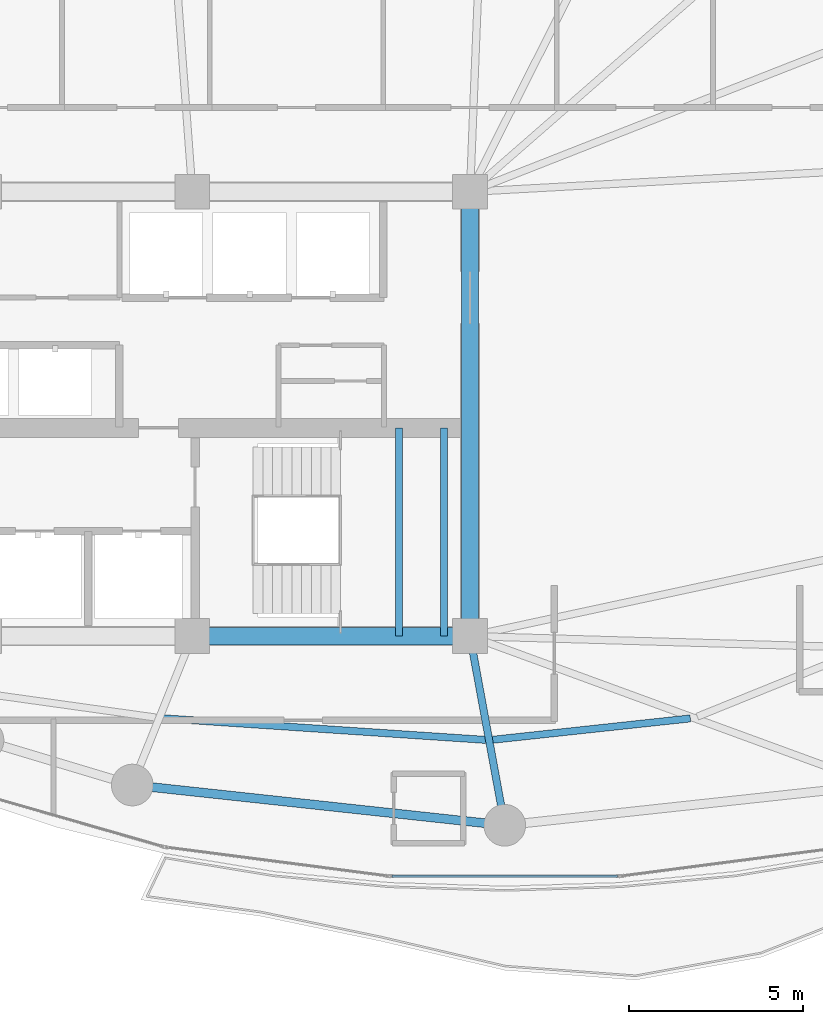
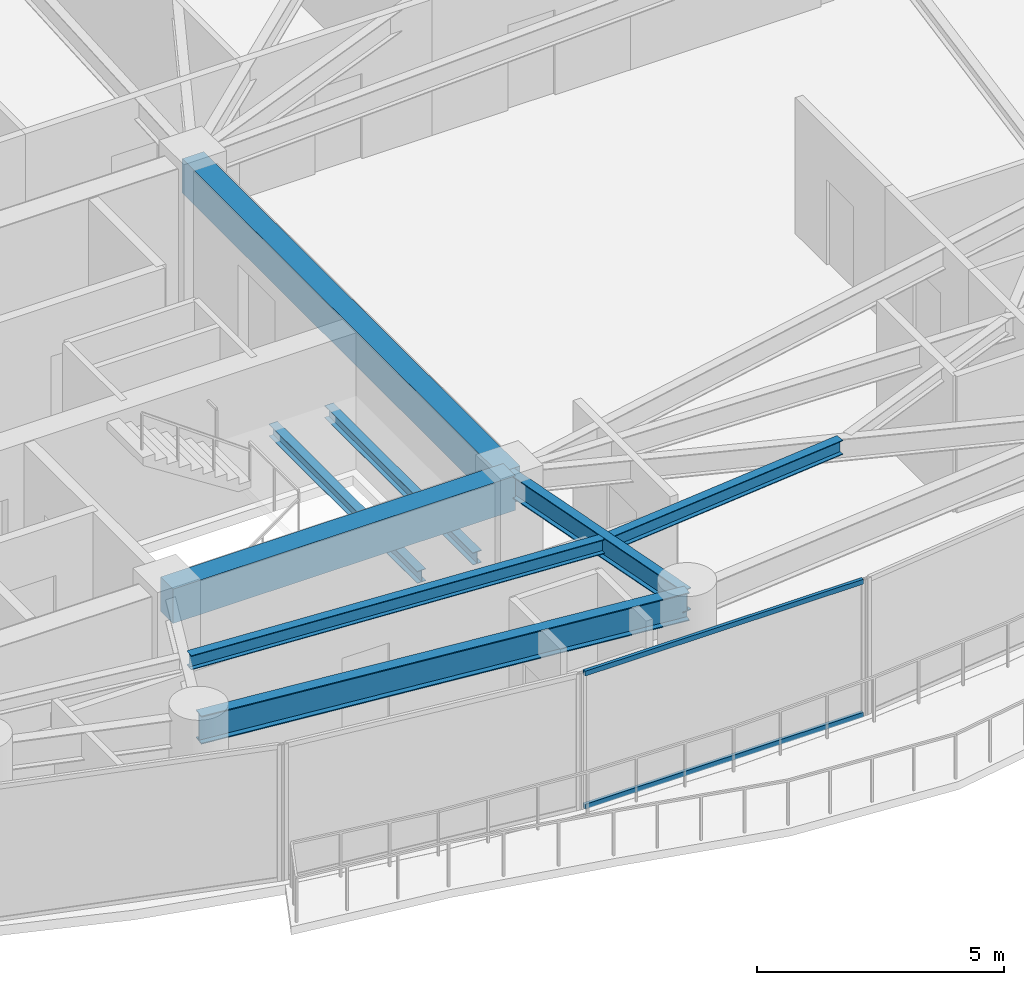
# One storey, part 6 of 28: 8 beams, 2 members, 1 element without a shape of its own.
"""IFC4 building model written with IfcOpenShell, lengths in metres."""

from ifc_helpers import new_model, si_unit, direction, frame, origin, origin_2d, place, context, subcontext, project, spatial, rectangle, hollow_rectangle, i_section, extrude, material, layer, layer_set, material_profile, profile_set, type_object, element, aggregate, save


model = new_model("IFC4")

# Units and contexts
model_context = context("Model", 3, precision=1e-05, world=origin(), true_north=direction((0.0, 1.0)))
body_context = subcontext(model_context, "Body", "Model", "MODEL_VIEW")
ifc_project = project(units=[si_unit("LENGTHUNIT", "METRE"), si_unit("AREAUNIT", "SQUARE_METRE"), si_unit("VOLUMEUNIT", "CUBIC_METRE"), si_unit("PLANEANGLEUNIT", "RADIAN"), si_unit("MASSUNIT", "GRAM", prefix="KILO")], contexts=[model_context])

# Site, building, storey
site_placement = place(None, origin())
site = spatial("IfcSite", under=ifc_project, at=site_placement, CompositionType="ELEMENT")
building_placement = place(site_placement, origin())
building = spatial("IfcBuilding", under=site, at=building_placement, Name="Kazevale Care Tower and Concert Hall", CompositionType="ELEMENT")
storey_placement = place(building_placement, frame((0.0, 0.0, 109.800048828125)))
storey = spatial("IfcBuildingStorey", under=building, at=storey_placement, Name="L28", CompositionType="ELEMENT", Elevation=109.800048828125)

# Curtain wall, members
ifc_material_1 = material(Name="Aluminium 6063-T6 and Low-E Glass", Category="aluminium")
ifc_layer = layer(ifc_material_1, 0.179931640625)
ifc_layer_set = layer_set([ifc_layer], Name="Aluminium 6063-T6 and Low-E Glass")
curtain_wall_type = type_object("IfcCurtainWallType", Name="Sheltered Concave Balcony Curtain Wall CW-5", PredefinedType="NOTDEFINED", material=ifc_layer_set)
curtain_wall_placement = place(storey_placement, origin())
curtain_wall = element("IfcCurtainWall", 1, at=curtain_wall_placement, inside=storey, type_object=curtain_wall_type, Name="cw:L28:f06", PredefinedType="NOTDEFINED")
ifc_material_2 = material(Name="Aluminium 6063-T6", Category="aluminium")
ifc_material_profile_1 = material_profile(ifc_material_2, hollow_rectangle(XDim=0.074951171875, YDim=0.1201171875, WallThickness=0.00390625, at=origin_2d()), Name="ALU75x120x4")
ifc_profile_set_1 = profile_set([ifc_material_profile_1], Name="Aluminium 6063-T6")
member_type = type_object("IfcMemberType", Name="CW-5 Transom ALU75x120x4", PredefinedType="USERDEFINED", material=ifc_profile_set_1)
member_1_placement = place(storey_placement, frame((48.25, 16.68408203125, 0.037353515625), z_axis=(-1.0, 0.0, 0.0), x_axis=(0.0, -1.0, 0.0)))
member_1 = element("IfcMember", 2, at=member_1_placement, type_object=member_type, Name="CW-5 transom 1.1", ObjectType="TRANSOM", PredefinedType="USERDEFINED", context=body_context, shape_type="SweptSolid", body=[
    extrude(hollow_rectangle(XDim=0.074951171875, YDim=0.1201171875, WallThickness=0.00390625, at=origin_2d()), origin(), (0.0, 0.0, 1.0), 6.5),
])
member_2_placement = place(storey_placement, frame((48.25, 16.68408203125, 3.322509765625), z_axis=(-1.0, 0.0, 0.0), x_axis=(0.0, -1.0, 0.0)))
member_2 = element("IfcMember", 3, at=member_2_placement, type_object=member_type, Name="CW-5 transom 1.2", ObjectType="TRANSOM", PredefinedType="USERDEFINED", context=body_context, shape_type="SweptSolid", body=[
    extrude(hollow_rectangle(XDim=0.074951171875, YDim=0.1201171875, WallThickness=0.00390625, at=origin_2d()), origin(), (0.0, 0.0, 1.0), 6.5),
])
aggregate(curtain_wall, [member_1, member_2])

# Beams
ifc_material_3 = material(Name="Concrete C60", Category="concrete")
ifc_material_profile_2 = material_profile(ifc_material_3, rectangle(XDim=0.5, YDim=0.85009765625, at=origin_2d()), Name="RC-B500x850")
ifc_profile_set_2 = profile_set([ifc_material_profile_2], Name="Concrete C60")
beam_type_1 = type_object("IfcBeamType", Name="Core Coupling Beam RC500x850", PredefinedType="LINTEL", material=ifc_profile_set_2)
beam_1_placement = place(storey_placement, frame((36.0, 23.60009765625, 2.93505859375), z_axis=(1.0, 0.0, 0.0), x_axis=(0.0, 1.0, 0.0)))
element("IfcBeam", 4, at=beam_1_placement, inside=storey, type_object=beam_type_1, Name="beam:L28:coretie:3", PredefinedType="LINTEL", context=body_context, shape_type="SweptSolid", body=[
    extrude(rectangle(XDim=0.5, YDim=0.85009765625, at=origin_2d()), origin(), (0.0, 0.0, 1.0), 8.0),
])
beam_2_placement = place(storey_placement, frame((44.0, 23.60009765625, 2.93505859375), z_axis=(0.0, 1.0, 0.0), x_axis=(-1.0, 0.0, 0.0)))
element("IfcBeam", 5, at=beam_2_placement, inside=storey, type_object=beam_type_1, Name="beam:L28:coretie:4", PredefinedType="LINTEL", context=body_context, shape_type="SweptSolid", body=[
    extrude(rectangle(XDim=0.5, YDim=0.85009765625, at=origin_2d()), origin(), (0.0, 0.0, 1.0), 12.7998046875),
])
ifc_material_4 = material(Name="Steel ASTM A572 Gr 50", Category="steel")
ifc_material_profile_3 = material_profile(ifc_material_4, i_section(OverallWidth=0.2119140625, OverallDepth=0.5439453125, WebThickness=0.01318359375, FlangeThickness=0.021240234375, at=origin_2d()), Name="W530x123")
ifc_profile_set_3 = profile_set([ifc_material_profile_3], Name="Steel ASTM A572 Gr 50")
beam_type_2 = type_object("IfcBeamType", Name="Radial Floor Girder W530x123", PredefinedType="BEAM", material=ifc_profile_set_3)
beam_3_placement = place(storey_placement, frame((44.0, 23.60009765625, 3.087890625), z_axis=(0.180467114023, -0.983581018908, 0.0), x_axis=(0.983581018908, 0.180467114023, 0.0)))
element("IfcBeam", 6, at=beam_3_placement, inside=storey, type_object=beam_type_2, Name="beam:L28:rad:13", PredefinedType="BEAM", context=body_context, shape_type="SweptSolid", body=[
    extrude(i_section(OverallWidth=0.2119140625, OverallDepth=0.5439453125, WebThickness=0.01318359375, FlangeThickness=0.021240234375, at=origin_2d()), origin(), (0.0, 0.0, 1.0), 5.541259765625),
])
ifc_material_profile_4 = material_profile(ifc_material_4, i_section(OverallWidth=0.205078125, OverallDepth=0.35400390625, WebThickness=0.009521484375, FlangeThickness=0.016845703125, at=origin_2d()), Name="W360x79")
ifc_profile_set_4 = profile_set([ifc_material_profile_4], Name="Steel ASTM A572 Gr 50")
beam_type_3 = type_object("IfcBeamType", Name="Secondary Floor Joist W360x79", PredefinedType="JOIST", material=ifc_profile_set_4)
beam_4_placement = place(storey_placement, frame((35.153076171875, 21.23291015625, 3.182861328125), z_axis=(0.997761314569, -0.06687569925, 0.0), x_axis=(0.06687569925, 0.997761314569, 0.0)))
element("IfcBeam", 7, at=beam_4_placement, inside=storey, type_object=beam_type_3, Name="beam:L28:joist:12", PredefinedType="JOIST", context=body_context, shape_type="SweptSolid", body=[
    extrude(i_section(OverallWidth=0.205078125, OverallDepth=0.35400390625, WebThickness=0.009521484375, FlangeThickness=0.016845703125, at=origin_2d()), origin(), (0.0, 0.0, 1.0), 9.312744140625),
])
beam_5_placement = place(storey_placement, frame((44.654052734375, 20.614013671875, 3.182861328125), z_axis=(0.994215541126, 0.107403248482, 0.0), x_axis=(-0.107403248482, 0.994215541126, 0.0)))
element("IfcBeam", 8, at=beam_5_placement, inside=storey, type_object=beam_type_3, Name="beam:L28:joist:13", PredefinedType="JOIST", context=body_context, shape_type="SweptSolid", body=[
    extrude(i_section(OverallWidth=0.205078125, OverallDepth=0.35400390625, WebThickness=0.009521484375, FlangeThickness=0.016845703125, at=origin_2d()), origin(), (0.0, 0.0, 1.0), 5.72607421875),
])
ifc_material_profile_5 = material_profile(ifc_material_4, i_section(OverallWidth=0.202880859375, OverallDepth=0.302978515625, WebThickness=0.007568359375, FlangeThickness=0.01318359375, at=origin_2d()), Name="W310x60")
ifc_profile_set_5 = profile_set([ifc_material_profile_5], Name="Steel ASTM A572 Gr 50")
beam_type_4 = type_object("IfcBeamType", Name="Stair & Balcony Trimmer W310x60", PredefinedType="BEAM", material=ifc_profile_set_5)
for number, where, z_axis, x_axis, name in (
    (9, (41.949951171875, 23.60009765625, 1.448486328125), (0.0, 1.0, 0.0), (-1.0, 0.0, 0.0), "beam:L28:sttrim:ST2"),
    (10, (43.25, 23.60009765625, 1.448486328125), (0.0, 1.0, 0.0), (-1.0, 0.0, 0.0), "beam:L28:sttrim:ST2b"),
):
    element("IfcBeam", number, at=place(storey_placement, frame(where, z_axis=z_axis, x_axis=x_axis)), inside=storey, type_object=beam_type_4, Name=name, PredefinedType="BEAM", context=body_context, shape_type="SweptSolid", body=[
        extrude(i_section(OverallWidth=0.202880859375, OverallDepth=0.302978515625, WebThickness=0.007568359375, FlangeThickness=0.01318359375, at=origin_2d()), origin(), (0.0, 0.0, 1.0), 6.0),
    ])
ifc_material_profile_6 = material_profile(ifc_material_4, i_section(OverallWidth=0.256103515625, OverallDepth=0.693115234375, WebThickness=0.014404296875, FlangeThickness=0.023681640625, at=origin_2d()), Name="W690x170")
ifc_profile_set_6 = profile_set([ifc_material_profile_6], Name="Steel ASTM A572 Gr 50")
beam_type_5 = type_object("IfcBeamType", Name="Waist Ring Beam W690x170", PredefinedType="BEAM", material=ifc_profile_set_6)
beam_6_placement = place(storey_placement, frame((34.27001953125, 19.31005859375, 3.013427734375), z_axis=(0.994205479487, -0.107496346724, 0.0), x_axis=(0.107496346724, 0.994205479487, 0.0)))
element("IfcBeam", 11, at=beam_6_placement, inside=storey, type_object=beam_type_5, Name="beam:L28:ring:12", PredefinedType="BEAM", context=body_context, shape_type="SweptSolid", body=[
    extrude(i_section(OverallWidth=0.256103515625, OverallDepth=0.693115234375, WebThickness=0.014404296875, FlangeThickness=0.023681640625, at=origin_2d()), origin(), (0.0, 0.0, 1.0), 10.79248046875),
])

save(model, "model.ifc")
